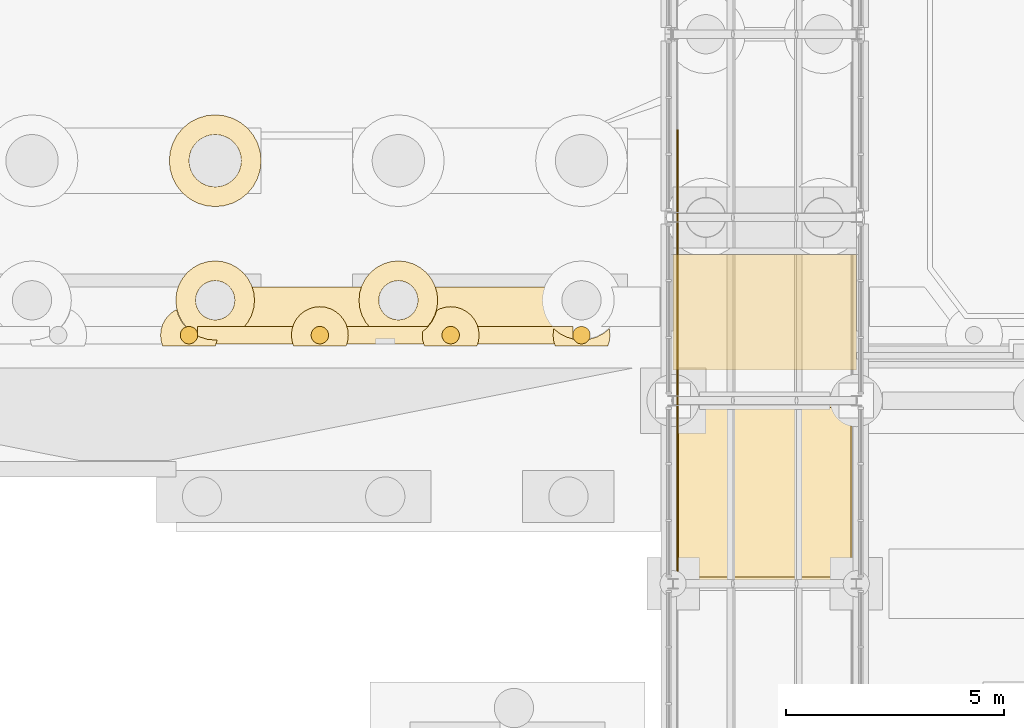
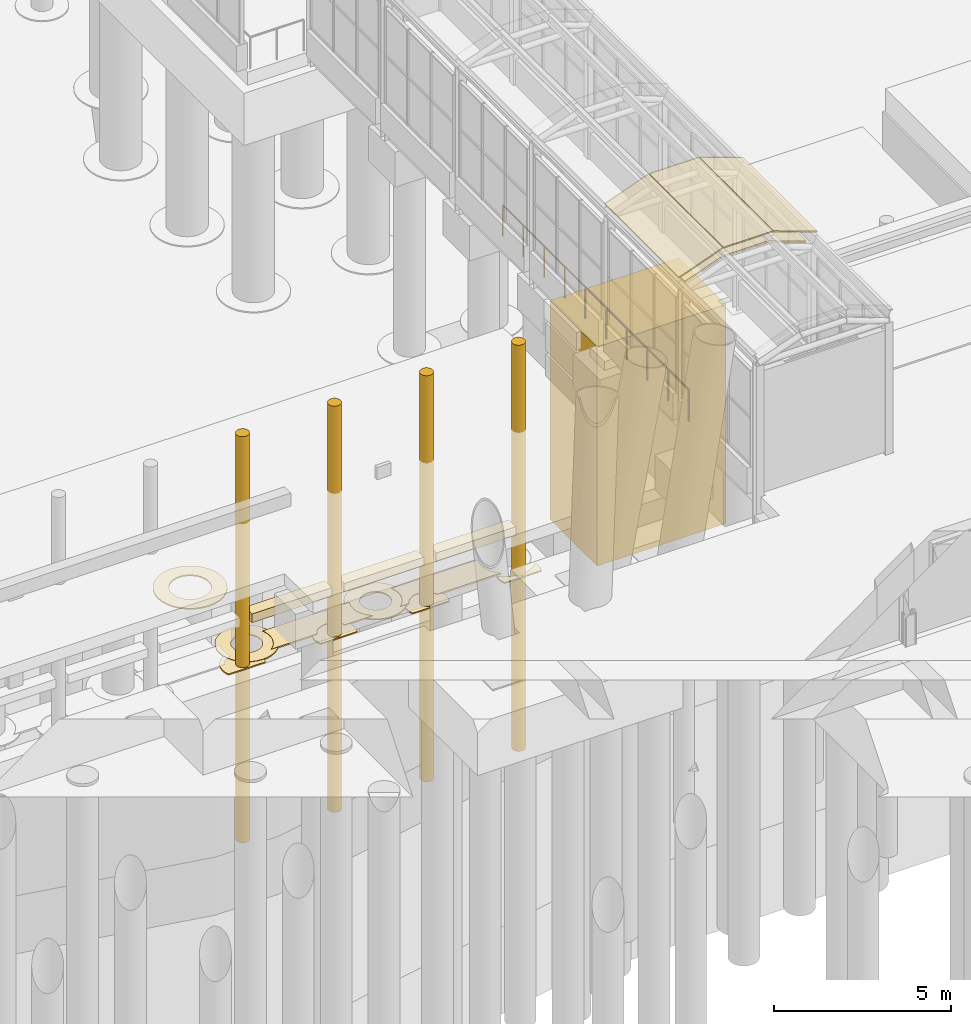
# One storey, part 186 of 222: 23 coverings, 1 railing.
"""IFC4 building model written with IfcOpenShell, lengths in metres."""

from ifc_helpers import new_model, si_unit, direction, frame, origin, origin_2d, place, context, subcontext, project, spatial, polyline, circle, outline, extrude, material, layer, layer_set, type_object, element, save


model = new_model("IFC4")

# Units and contexts
model_context = context("Model", 3, precision=1e-05, world=origin(), true_north=direction((0.0, 1.0)))
body_context = subcontext(model_context, "Body", "Model", "MODEL_VIEW")
ifc_project = project(units=[si_unit("LENGTHUNIT", "METRE"), si_unit("AREAUNIT", "SQUARE_METRE"), si_unit("VOLUMEUNIT", "CUBIC_METRE"), si_unit("PLANEANGLEUNIT", "RADIAN"), si_unit("MASSUNIT", "GRAM", prefix="KILO")], contexts=[model_context])

# Site, building, storey
site_placement = place(None, origin())
site = spatial("IfcSite", under=ifc_project, at=site_placement, CompositionType="ELEMENT")
building_placement = place(site_placement, origin())
building = spatial("IfcBuilding", under=site, at=building_placement, Name="Sava Quay Ferry Terminal", CompositionType="ELEMENT")
storey_placement = place(building_placement, origin())
storey = spatial("IfcBuildingStorey", under=building, at=storey_placement, Name="L00", CompositionType="ELEMENT", Elevation=0.0)

# Railing
ifc_material_1 = material(Name="Steel S355", Category="steel")
railing_type = type_object("IfcRailingType", Name="Edge guard 1100", PredefinedType="GUARDRAIL", material=ifc_material_1)
railing_placement = place(storey_placement, frame((75.699951171875, 113.300048828125, 0.0)))
element("IfcRailing", 1, at=railing_placement, inside=storey, type_object=railing_type, Name="Berth pier edge over the landing and the river", PredefinedType="GUARDRAIL", context=body_context, shape_type="SweptSolid", body=[
    extrude(circle(Radius=0.02392578125, at=origin_2d()), frame((0.0, 0.0, 1.076171875), z_axis=(0.0, 1.0, 0.0), x_axis=(-1.0, 0.0, 0.0)), (0.0, 0.0, 1.0), 10.5),
    extrude(circle(Radius=0.02099609375, at=origin_2d()), origin(), (0.0, 0.0, 1.0), 1.052001953125),
    extrude(circle(Radius=0.02099609375, at=origin_2d()), frame((0.0, 1.166748046875, 0.0)), (0.0, 0.0, 1.0), 1.052001953125),
    extrude(circle(Radius=0.02099609375, at=origin_2d()), frame((0.0, 2.333251953125, 0.0)), (0.0, 0.0, 1.0), 1.052001953125),
    extrude(circle(Radius=0.02099609375, at=origin_2d()), frame((0.0, 3.5, 0.0)), (0.0, 0.0, 1.0), 1.052001953125),
    extrude(circle(Radius=0.02099609375, at=origin_2d()), frame((0.0, 4.666748046875, 0.0)), (0.0, 0.0, 1.0), 1.052001953125),
    extrude(circle(Radius=0.02099609375, at=origin_2d()), frame((0.0, 5.833251953125, 0.0)), (0.0, 0.0, 1.0), 1.052001953125),
    extrude(circle(Radius=0.02099609375, at=origin_2d()), frame((0.0, 7.0, 0.0)), (0.0, 0.0, 1.0), 1.052001953125),
    extrude(circle(Radius=0.02099609375, at=origin_2d()), frame((0.0, 8.166748046875, 0.0)), (0.0, 0.0, 1.0), 1.052001953125),
    extrude(circle(Radius=0.02099609375, at=origin_2d()), frame((0.0, 9.333251953125, 0.0)), (0.0, 0.0, 1.0), 1.052001953125),
    extrude(circle(Radius=0.02099609375, at=origin_2d()), frame((0.0, 10.5, 0.0)), (0.0, 0.0, 1.0), 1.052001953125),
])

# Coverings
ifc_material_2 = material(Name="Limestone Mutalj", Category="masonry")
ifc_layer_1 = layer(ifc_material_2, 1.0)
ifc_layer_set_1 = layer_set([ifc_layer_1], Name="Limestone Mutalj")
covering_type_1 = type_object("IfcCoveringType", Name="Gallery landing abutment", PredefinedType="CLADDING", material=ifc_layer_set_1)
covering_1_placement = place(storey_placement, frame((0.0, 0.0, -8.0)))
element("IfcCovering", 2, at=covering_1_placement, inside=storey, type_object=covering_type_1, Name="Gallery landing abutment", PredefinedType="CLADDING", context=body_context, shape_type="SweptSolid", body=[
    extrude(outline(polyline([(75.60009765625, 118.300048828125), (79.800048828125, 118.300048828125), (79.800048828125, 120.949951171875), (75.60009765625, 120.949951171875), (75.60009765625, 118.300048828125)])), origin(), (0.0, 0.0, 1.0), 7.550048828125),
])
ifc_material_3 = material(Name="Glulam GL28h", Category="wood")
ifc_layer_2 = layer(ifc_material_3, 0.06005859375)
ifc_layer_set_2 = layer_set([ifc_layer_2], Name="Glulam GL28h")
covering_type_2 = type_object("IfcCoveringType", Name="Glulam soffit lining 60", PredefinedType="CEILING", material=ifc_layer_set_2)
covering_2_placement = place(storey_placement, frame((75.71728515625, 113.56005859375, 4.645751953125), z_axis=(-0.342028329159, 0.0, 0.939689641346), x_axis=(0.939689641346, 0.0, 0.342028329159)))
element("IfcCovering", 3, at=covering_2_placement, inside=storey, type_object=covering_type_2, Name="Boarding gallery B2 timber soffit lining bay 2 facet 1", PredefinedType="CEILING", context=body_context, shape_type="SweptSolid", body=[
    extrude(outline(polyline([(0.0, 0.0), (1.3055444975084805, 0.0), (1.3055444975084805, 3.8798828125), (0.0, 3.8798828125), (0.0, 0.0)])), origin(), (0.0, 0.0, -1.0), 0.06005859375),
])
covering_3_placement = place(storey_placement, frame((76.963623046875, 113.56005859375, 5.095703125), z_axis=(0.0, 0.0, 1.0), x_axis=(1.0, 0.0, 0.0)))
element("IfcCovering", 4, at=covering_3_placement, inside=storey, type_object=covering_type_2, Name="Boarding gallery B2 timber soffit lining bay 2 facet 2", PredefinedType="CEILING", context=body_context, shape_type="SweptSolid", body=[
    extrude(outline(polyline([(0.0, 0.0), (1.472900390625, 0.0), (1.472900390625, 3.8798828125), (0.0, 3.8798828125), (0.0, 0.0)])), origin(), (0.0, 0.0, -1.0), 0.06005859375),
])
covering_4_placement = place(storey_placement, frame((78.455810546875, 113.56005859375, 5.09228515625), z_axis=(0.341968236193, 0.0, 0.939711511814), x_axis=(0.939711511814, 0.0, -0.341968236193)))
element("IfcCovering", 5, at=covering_4_placement, inside=storey, type_object=covering_type_2, Name="Boarding gallery B2 timber soffit lining bay 2 facet 3", PredefinedType="CEILING", context=body_context, shape_type="SweptSolid", body=[
    extrude(outline(polyline([(0.0, 0.0), (1.305773916594794, 0.0), (1.305773916594794, 3.8798828125), (0.0, 3.8798828125), (0.0, 0.0)])), origin(), (0.0, 0.0, -1.0), 0.06005859375),
])
ifc_material_4 = material(Name="Timber", Category="wood")
ifc_layer_3 = layer(ifc_material_4, 0.39990234375)
ifc_layer_set_3 = layer_set([ifc_layer_3], Name="Timber")
covering_type_3 = type_object("IfcCoveringType", Name="Quay fender pile 400", PredefinedType="CLADDING", material=ifc_layer_set_3)
for number, where, z_axis, x_axis, name in (
    (6, (64.5, 119.10009765625, 0.0), (0.0, 0.0, -1.0), (1.0, 0.0, 0.0), "Quay fender pile"),
    (7, (67.5, 119.10009765625, 0.0), (0.0, 0.0, -1.0), (1.0, 0.0, 0.0), "Quay fender pile"),
    (8, (70.5, 119.10009765625, 0.0), (0.0, 0.0, -1.0), (1.0, 0.0, 0.0), "Quay fender pile"),
    (9, (73.5, 119.10009765625, 0.0), (0.0, 0.0, -1.0), (1.0, 0.0, 0.0), "Quay fender pile"),
):
    element("IfcCovering", number, at=place(storey_placement, frame(where, z_axis=z_axis, x_axis=x_axis)), inside=storey, type_object=covering_type_3, Name=name, PredefinedType="CLADDING", context=body_context, shape_type="SweptSolid", body=[
        extrude(circle(Radius=0.199951171875, at=origin_2d()), origin(), (0.0, 0.0, 1.0), 14.0),
    ])
ifc_material_5 = material(Name="Timber", Category="wood")
ifc_layer_4 = layer(ifc_material_5, 0.39990234375)
ifc_layer_set_4 = layer_set([ifc_layer_4], Name="Timber")
covering_type_4 = type_object("IfcCoveringType", Name="Quay fender waling", PredefinedType="MOLDING", material=ifc_layer_set_4)
covering_5_placement = place(storey_placement, frame((0.0, 0.0, -6.5)))
element("IfcCovering", 10, at=covering_5_placement, inside=storey, type_object=covering_type_4, Name="Quay fender waling", PredefinedType="MOLDING", context=body_context, shape_type="SweptSolid", body=[
    extrude(outline(polyline([(67.300048828125, 118.89990234375), (67.300048828125, 119.300048828125), (64.699951171875, 119.300048828125), (64.699951171875, 118.89990234375), (67.300048828125, 118.89990234375)])), origin(), (0.0, 0.0, 1.0), 0.300048828125),
])
covering_6_placement = place(storey_placement, frame((0.0, 0.0, -6.5)))
element("IfcCovering", 11, at=covering_6_placement, inside=storey, type_object=covering_type_4, Name="Quay fender waling", PredefinedType="MOLDING", context=body_context, shape_type="SweptSolid", body=[
    extrude(outline(polyline([(70.300048828125, 118.89990234375), (70.300048828125, 119.300048828125), (67.699951171875, 119.300048828125), (67.699951171875, 118.89990234375), (70.300048828125, 118.89990234375)])), origin(), (0.0, 0.0, 1.0), 0.300048828125),
])
covering_7_placement = place(storey_placement, frame((0.0, 0.0, -6.5)))
element("IfcCovering", 12, at=covering_7_placement, inside=storey, type_object=covering_type_4, Name="Quay fender waling", PredefinedType="MOLDING", context=body_context, shape_type="SweptSolid", body=[
    extrude(outline(polyline([(73.300048828125, 118.89990234375), (73.300048828125, 119.300048828125), (70.699951171875, 119.300048828125), (70.699951171875, 118.89990234375), (73.300048828125, 118.89990234375)])), origin(), (0.0, 0.0, 1.0), 0.300048828125),
])
ifc_material_6 = material(Name="Water")
ifc_layer_5 = layer(ifc_material_6, 0.0400390625)
ifc_layer_set_5 = layer_set([ifc_layer_5], Name="Water")
covering_type_5 = type_object("IfcCoveringType", Name="River foam collar", PredefinedType="CLADDING", material=ifc_layer_set_5)
covering_8_placement = place(storey_placement, frame((0.0, 0.0, -8.0)))
element("IfcCovering", 13, at=covering_8_placement, inside=storey, type_object=covering_type_5, Name="River foam collar", PredefinedType="CLADDING", context=body_context, shape_type="SweptSolid", body=[
    extrude(outline(polyline([(65.93408203125, 120.2451171875), (65.85009765625, 120.40087890625), (65.738037109375, 120.5380859375), (65.60107421875, 120.64990234375), (65.445068359375, 120.73388671875), (65.27587890625, 120.784912109375), (65.10009765625, 120.802001953125), (64.924072265625, 120.784912109375), (64.7548828125, 120.73388671875), (64.59912109375, 120.64990234375), (64.4619140625, 120.5380859375), (64.35009765625, 120.40087890625), (64.26611328125, 120.2451171875), (64.215087890625, 120.075927734375), (64.197998046875, 119.89990234375), (64.215087890625, 119.72412109375), (64.26611328125, 119.554931640625), (64.35009765625, 119.39892578125), (64.43896484375, 119.2900390625), (64.4609375, 119.2958984375), (64.5, 119.300048828125), (64.5390625, 119.2958984375), (64.576904296875, 119.284912109375), (64.611083984375, 119.26611328125), (64.64111328125, 119.240966796875), (64.666015625, 119.2109375), (64.68505859375, 119.177001953125), (64.696044921875, 119.138916015625), (64.699951171875, 119.095947265625), (64.7548828125, 119.06591796875), (64.924072265625, 119.014892578125), (65.10009765625, 118.998046875), (65.27587890625, 119.014892578125), (65.445068359375, 119.06591796875), (65.60107421875, 119.14990234375), (65.738037109375, 119.261962890625), (65.85009765625, 119.39892578125), (65.93408203125, 119.554931640625), (65.985107421875, 119.72412109375), (66.001953125, 119.89990234375), (65.985107421875, 120.075927734375), (65.93408203125, 120.2451171875)]), holes=[polyline([(65.10009765625, 120.35009765625), (65.18798828125, 120.341064453125), (65.27197265625, 120.31591796875), (65.35009765625, 120.27392578125), (65.41796875, 120.218017578125), (65.47412109375, 120.14990234375), (65.51611328125, 120.072021484375), (65.541015625, 119.988037109375), (65.550048828125, 119.89990234375), (65.541015625, 119.81201171875), (65.51611328125, 119.72802734375), (65.47412109375, 119.64990234375), (65.41796875, 119.58203125), (65.35009765625, 119.52587890625), (65.27197265625, 119.48388671875), (65.18798828125, 119.458984375), (65.10009765625, 119.449951171875), (65.011962890625, 119.458984375), (64.927978515625, 119.48388671875), (64.85009765625, 119.52587890625), (64.781982421875, 119.58203125), (64.72607421875, 119.64990234375), (64.68408203125, 119.72802734375), (64.658935546875, 119.81201171875), (64.64990234375, 119.89990234375), (64.658935546875, 119.988037109375), (64.68408203125, 120.072021484375), (64.72607421875, 120.14990234375), (64.781982421875, 120.218017578125), (64.85009765625, 120.27392578125), (64.927978515625, 120.31591796875), (65.011962890625, 120.341064453125), (65.10009765625, 120.35009765625)])]), origin(), (0.0, 0.0, 1.0), 0.0400390625),
])
covering_9_placement = place(storey_placement, frame((0.0, 0.0, -8.0)))
element("IfcCovering", 14, at=covering_9_placement, inside=storey, type_object=covering_type_5, Name="River foam collar", PredefinedType="CLADDING", context=body_context, shape_type="SweptSolid", body=[
    extrude(outline(polyline([(69.1240234375, 119.014892578125), (69.300048828125, 118.998046875), (69.47607421875, 119.014892578125), (69.64501953125, 119.06591796875), (69.801025390625, 119.14990234375), (69.93798828125, 119.261962890625), (70.050048828125, 119.39892578125), (70.134033203125, 119.554931640625), (70.18505859375, 119.72412109375), (70.201904296875, 119.89990234375), (70.18505859375, 120.075927734375), (70.134033203125, 120.2451171875), (70.050048828125, 120.40087890625), (69.93798828125, 120.5380859375), (69.801025390625, 120.64990234375), (69.64501953125, 120.73388671875), (69.47607421875, 120.784912109375), (69.300048828125, 120.802001953125), (69.1240234375, 120.784912109375), (68.955078125, 120.73388671875), (68.799072265625, 120.64990234375), (68.662109375, 120.5380859375), (68.550048828125, 120.40087890625), (68.466064453125, 120.2451171875), (68.4150390625, 120.075927734375), (68.39794921875, 119.89990234375), (68.4150390625, 119.72412109375), (68.466064453125, 119.554931640625), (68.550048828125, 119.39892578125), (68.662109375, 119.261962890625), (68.799072265625, 119.14990234375), (68.955078125, 119.06591796875), (69.1240234375, 119.014892578125)]), holes=[polyline([(69.2119140625, 120.341064453125), (69.300048828125, 120.35009765625), (69.387939453125, 120.341064453125), (69.471923828125, 120.31591796875), (69.550048828125, 120.27392578125), (69.617919921875, 120.218017578125), (69.674072265625, 120.14990234375), (69.716064453125, 120.072021484375), (69.740966796875, 119.988037109375), (69.75, 119.89990234375), (69.740966796875, 119.81201171875), (69.716064453125, 119.72802734375), (69.674072265625, 119.64990234375), (69.617919921875, 119.58203125), (69.550048828125, 119.52587890625), (69.471923828125, 119.48388671875), (69.387939453125, 119.458984375), (69.300048828125, 119.449951171875), (69.2119140625, 119.458984375), (69.1279296875, 119.48388671875), (69.050048828125, 119.52587890625), (68.98193359375, 119.58203125), (68.926025390625, 119.64990234375), (68.884033203125, 119.72802734375), (68.85888671875, 119.81201171875), (68.85009765625, 119.89990234375), (68.85888671875, 119.988037109375), (68.884033203125, 120.072021484375), (68.926025390625, 120.14990234375), (68.98193359375, 120.218017578125), (69.050048828125, 120.27392578125), (69.1279296875, 120.31591796875), (69.2119140625, 120.341064453125)])]), origin(), (0.0, 0.0, 1.0), 0.0400390625),
])
covering_10_placement = place(storey_placement, frame((0.0, 0.0, -8.0)))
element("IfcCovering", 15, at=covering_10_placement, inside=storey, type_object=covering_type_5, Name="River foam collar", PredefinedType="CLADDING", context=body_context, shape_type="SweptSolid", body=[
    extrude(outline(polyline([(64.1279296875, 122.697021484375), (64.22509765625, 122.514892578125), (64.35595703125, 122.35595703125), (64.514892578125, 122.22509765625), (64.697021484375, 122.1279296875), (64.89501953125, 122.068115234375), (65.10009765625, 122.048095703125), (65.304931640625, 122.068115234375), (65.5029296875, 122.1279296875), (65.68505859375, 122.22509765625), (65.843994140625, 122.35595703125), (65.97509765625, 122.514892578125), (66.072021484375, 122.697021484375), (66.132080078125, 122.89501953125), (66.152099609375, 123.10009765625), (66.132080078125, 123.304931640625), (66.072021484375, 123.5029296875), (65.97509765625, 123.68505859375), (65.843994140625, 123.843994140625), (65.68505859375, 123.97509765625), (65.5029296875, 124.072021484375), (65.304931640625, 124.132080078125), (65.10009765625, 124.152099609375), (64.89501953125, 124.132080078125), (64.697021484375, 124.072021484375), (64.514892578125, 123.97509765625), (64.35595703125, 123.843994140625), (64.22509765625, 123.68505859375), (64.1279296875, 123.5029296875), (64.068115234375, 123.304931640625), (64.048095703125, 123.10009765625), (64.068115234375, 122.89501953125), (64.1279296875, 122.697021484375)]), holes=[polyline([(64.5458984375, 123.330078125), (64.60107421875, 123.43310546875), (64.676025390625, 123.52392578125), (64.76708984375, 123.59912109375), (64.8701171875, 123.654052734375), (64.98291015625, 123.68798828125), (65.10009765625, 123.699951171875), (65.217041015625, 123.68798828125), (65.330078125, 123.654052734375), (65.43310546875, 123.59912109375), (65.52392578125, 123.52392578125), (65.59912109375, 123.43310546875), (65.654052734375, 123.330078125), (65.68798828125, 123.217041015625), (65.699951171875, 123.10009765625), (65.68798828125, 122.98291015625), (65.654052734375, 122.8701171875), (65.59912109375, 122.76708984375), (65.52392578125, 122.676025390625), (65.43310546875, 122.60107421875), (65.330078125, 122.5458984375), (65.217041015625, 122.511962890625), (65.10009765625, 122.5), (64.98291015625, 122.511962890625), (64.8701171875, 122.5458984375), (64.76708984375, 122.60107421875), (64.676025390625, 122.676025390625), (64.60107421875, 122.76708984375), (64.5458984375, 122.8701171875), (64.511962890625, 122.98291015625), (64.5, 123.10009765625), (64.511962890625, 123.217041015625), (64.5458984375, 123.330078125)])]), origin(), (0.0, 0.0, 1.0), 0.0400390625),
])
covering_11_placement = place(storey_placement, frame((0.0, 0.0, -8.0)))
element("IfcCovering", 16, at=covering_11_placement, inside=storey, type_object=covering_type_5, Name="River foam collar", PredefinedType="CLADDING", context=body_context, shape_type="SweptSolid", body=[
    extrude(outline(polyline([(64.428955078125, 119.285888671875), (64.342041015625, 119.39306640625), (64.258056640625, 119.550048828125), (64.217041015625, 119.68505859375), (64.137939453125, 119.64208984375), (64.0390625, 119.56103515625), (63.9580078125, 119.4619140625), (63.89697265625, 119.35009765625), (63.860107421875, 119.22705078125), (63.847900390625, 119.10009765625), (63.860107421875, 118.972900390625), (63.89794921875, 118.85009765625), (65.10205078125, 118.85009765625), (65.139892578125, 118.972900390625), (65.14208984375, 118.991943359375), (65.09912109375, 118.988037109375), (64.922119140625, 119.0048828125), (64.751953125, 119.056884765625), (64.698974609375, 119.0849609375), (64.696044921875, 119.06103515625), (64.68505859375, 119.02294921875), (64.666015625, 118.989013671875), (64.64111328125, 118.958984375), (64.611083984375, 118.93408203125), (64.576904296875, 118.9150390625), (64.5390625, 118.904052734375), (64.5, 118.89990234375), (64.4609375, 118.904052734375), (64.423095703125, 118.9150390625), (64.388916015625, 118.93408203125), (64.35888671875, 118.958984375), (64.333984375, 118.989013671875), (64.31494140625, 119.02294921875), (64.303955078125, 119.06103515625), (64.300048828125, 119.10009765625), (64.303955078125, 119.138916015625), (64.31494140625, 119.177001953125), (64.333984375, 119.2109375), (64.35888671875, 119.240966796875), (64.388916015625, 119.26611328125), (64.428955078125, 119.285888671875)])), origin(), (0.0, 0.0, 1.0), 0.0400390625),
])
covering_12_placement = place(storey_placement, frame((0.0, 0.0, -8.0)))
element("IfcCovering", 17, at=covering_12_placement, inside=storey, type_object=covering_type_5, Name="River foam collar", PredefinedType="CLADDING", context=body_context, shape_type="SweptSolid", body=[
    extrude(outline(polyline([(68.152099609375, 119.10009765625), (68.139892578125, 119.22705078125), (68.10302734375, 119.35009765625), (68.0419921875, 119.4619140625), (67.9609375, 119.56103515625), (67.862060546875, 119.64208984375), (67.75, 119.702880859375), (67.626953125, 119.739990234375), (67.5, 119.751953125), (67.373046875, 119.739990234375), (67.25, 119.702880859375), (67.137939453125, 119.64208984375), (67.0390625, 119.56103515625), (66.9580078125, 119.4619140625), (66.89697265625, 119.35009765625), (66.860107421875, 119.22705078125), (66.847900390625, 119.10009765625), (66.860107421875, 118.972900390625), (66.89794921875, 118.85009765625), (68.10205078125, 118.85009765625), (68.139892578125, 118.972900390625), (68.152099609375, 119.10009765625)]), holes=[polyline([(67.333984375, 118.989013671875), (67.31494140625, 119.02294921875), (67.303955078125, 119.06103515625), (67.300048828125, 119.10009765625), (67.303955078125, 119.138916015625), (67.31494140625, 119.177001953125), (67.333984375, 119.2109375), (67.35888671875, 119.240966796875), (67.388916015625, 119.26611328125), (67.423095703125, 119.284912109375), (67.4609375, 119.2958984375), (67.5, 119.300048828125), (67.5390625, 119.2958984375), (67.576904296875, 119.284912109375), (67.611083984375, 119.26611328125), (67.64111328125, 119.240966796875), (67.666015625, 119.2109375), (67.68505859375, 119.177001953125), (67.696044921875, 119.138916015625), (67.699951171875, 119.10009765625), (67.696044921875, 119.06103515625), (67.68505859375, 119.02294921875), (67.666015625, 118.989013671875), (67.64111328125, 118.958984375), (67.611083984375, 118.93408203125), (67.576904296875, 118.9150390625), (67.5390625, 118.904052734375), (67.5, 118.89990234375), (67.4609375, 118.904052734375), (67.423095703125, 118.9150390625), (67.388916015625, 118.93408203125), (67.35888671875, 118.958984375), (67.333984375, 118.989013671875)])]), origin(), (0.0, 0.0, 1.0), 0.0400390625),
])
covering_13_placement = place(storey_placement, frame((0.0, 0.0, -8.0)))
element("IfcCovering", 18, at=covering_13_placement, inside=storey, type_object=covering_type_5, Name="River foam collar", PredefinedType="CLADDING", context=body_context, shape_type="SweptSolid", body=[
    extrude(outline(polyline([(70.05810546875, 119.39208984375), (69.945068359375, 119.2548828125), (69.85595703125, 119.181884765625), (69.847900390625, 119.10009765625), (69.860107421875, 118.972900390625), (69.89794921875, 118.85009765625), (71.10302734375, 118.85009765625), (71.139892578125, 118.972900390625), (71.152099609375, 119.10009765625), (71.139892578125, 119.22705078125), (71.10302734375, 119.35009765625), (71.0419921875, 119.4619140625), (70.9609375, 119.56103515625), (70.862060546875, 119.64208984375), (70.75, 119.702880859375), (70.626953125, 119.739990234375), (70.5, 119.751953125), (70.373046875, 119.739990234375), (70.25, 119.702880859375), (70.177001953125, 119.6630859375), (70.14306640625, 119.551025390625), (70.05810546875, 119.39208984375)]), holes=[polyline([(70.35888671875, 118.958984375), (70.333984375, 118.989013671875), (70.31494140625, 119.02294921875), (70.303955078125, 119.06103515625), (70.300048828125, 119.10009765625), (70.303955078125, 119.138916015625), (70.31494140625, 119.177001953125), (70.333984375, 119.2109375), (70.35888671875, 119.240966796875), (70.388916015625, 119.26611328125), (70.423095703125, 119.284912109375), (70.4609375, 119.2958984375), (70.5, 119.300048828125), (70.5390625, 119.2958984375), (70.576904296875, 119.284912109375), (70.611083984375, 119.26611328125), (70.64111328125, 119.240966796875), (70.666015625, 119.2109375), (70.68505859375, 119.177001953125), (70.696044921875, 119.138916015625), (70.699951171875, 119.10009765625), (70.696044921875, 119.06103515625), (70.68505859375, 119.02294921875), (70.666015625, 118.989013671875), (70.64111328125, 118.958984375), (70.611083984375, 118.93408203125), (70.576904296875, 118.9150390625), (70.5390625, 118.904052734375), (70.5, 118.89990234375), (70.4609375, 118.904052734375), (70.423095703125, 118.9150390625), (70.388916015625, 118.93408203125), (70.35888671875, 118.958984375)])]), origin(), (0.0, 0.0, 1.0), 0.0400390625),
])
covering_14_placement = place(storey_placement, frame((0.0, 0.0, -8.0)))
element("IfcCovering", 19, at=covering_14_placement, inside=storey, type_object=covering_type_5, Name="River foam collar", PredefinedType="CLADDING", context=body_context, shape_type="SweptSolid", body=[
    extrude(outline(polyline([(73.320068359375, 119.007080078125), (73.14990234375, 119.05810546875), (72.992919921875, 119.14208984375), (72.865966796875, 119.24609375), (72.860107421875, 119.22705078125), (72.847900390625, 119.10009765625), (72.860107421875, 118.972900390625), (72.89794921875, 118.85009765625), (74.10205078125, 118.85009765625), (74.139892578125, 118.972900390625), (74.152099609375, 119.10009765625), (74.139892578125, 119.22705078125), (74.134033203125, 119.24609375), (74.007080078125, 119.14208984375), (73.85009765625, 119.05810546875), (73.68408203125, 119.007080078125), (73.676025390625, 119.008056640625), (73.666015625, 118.989013671875), (73.64111328125, 118.958984375), (73.611083984375, 118.93408203125), (73.576904296875, 118.9150390625), (73.5390625, 118.904052734375), (73.5, 118.89990234375), (73.4609375, 118.904052734375), (73.423095703125, 118.9150390625), (73.388916015625, 118.93408203125), (73.35888671875, 118.958984375), (73.333984375, 118.989013671875), (73.323974609375, 119.008056640625), (73.320068359375, 119.007080078125)])), origin(), (0.0, 0.0, 1.0), 0.0400390625),
])
ifc_material_7 = material(Name="Water")
ifc_layer_6 = layer(ifc_material_7, 0.050048828125)
ifc_layer_set_6 = layer_set([ifc_layer_6], Name="Water")
covering_type_6 = type_object("IfcCoveringType", Name="River foam line", PredefinedType="CLADDING", material=ifc_layer_set_6)
covering_15_placement = place(storey_placement, frame((0.0, 0.0, -8.0)))
element("IfcCovering", 20, at=covering_15_placement, inside=storey, type_object=covering_type_6, Name="River foam line", PredefinedType="CLADDING", context=body_context, shape_type="SweptSolid", body=[
    extrude(outline(polyline([(72.81298828125, 120.199951171875), (69.987060546875, 120.199951171875), (70.0029296875, 120.158935546875), (70.028076171875, 120.074951171875), (70.035888671875, 120.0458984375), (70.0400390625, 120.01708984375), (70.049072265625, 119.928955078125), (70.050048828125, 119.89990234375), (70.049072265625, 119.87109375), (70.0400390625, 119.782958984375), (70.035888671875, 119.75390625), (70.028076171875, 119.72509765625), (70.0029296875, 119.64111328125), (69.992919921875, 119.613037109375), (69.97998046875, 119.5859375), (69.93896484375, 119.509033203125), (69.924072265625, 119.48291015625), (69.906005859375, 119.4599609375), (69.85009765625, 119.39111328125), (69.830078125, 119.3701171875), (69.80908203125, 119.35009765625), (69.748046875, 119.300048828125), (70.0419921875, 119.300048828125), (70.069091796875, 119.35302734375), (70.083984375, 119.3779296875), (70.126953125, 119.431884765625), (70.14599609375, 119.4541015625), (70.16796875, 119.472900390625), (70.221923828125, 119.51611328125), (70.2470703125, 119.531005859375), (70.30908203125, 119.56201171875), (70.3740234375, 119.5830078125), (70.402099609375, 119.590087890625), (70.431884765625, 119.594970703125), (70.5, 119.60009765625), (70.568115234375, 119.594970703125), (70.597900390625, 119.590087890625), (70.6259765625, 119.5830078125), (70.69091796875, 119.56201171875), (70.7529296875, 119.531005859375), (70.778076171875, 119.51611328125), (70.83203125, 119.472900390625), (70.85400390625, 119.4541015625), (70.873046875, 119.431884765625), (70.916015625, 119.3779296875), (70.930908203125, 119.35302734375), (70.9580078125, 119.300048828125), (73.0419921875, 119.300048828125), (73.044921875, 119.305908203125), (72.990966796875, 119.35009765625), (72.969970703125, 119.3701171875), (72.949951171875, 119.39111328125), (72.89404296875, 119.4599609375), (72.8759765625, 119.48291015625), (72.861083984375, 119.509033203125), (72.820068359375, 119.5859375), (72.806884765625, 119.613037109375), (72.797119140625, 119.64111328125), (72.77197265625, 119.72509765625), (72.763916015625, 119.75390625), (72.760009765625, 119.782958984375), (72.7509765625, 119.87109375), (72.75, 119.89990234375), (72.7509765625, 119.928955078125), (72.760009765625, 120.01708984375), (72.763916015625, 120.0458984375), (72.77197265625, 120.074951171875), (72.797119140625, 120.158935546875), (72.81298828125, 120.199951171875)])), origin(), (0.0, 0.0, 1.0), 0.050048828125),
])
covering_16_placement = place(storey_placement, frame((0.0, 0.0, -8.0)))
element("IfcCovering", 21, at=covering_16_placement, inside=storey, type_object=covering_type_6, Name="River foam line", PredefinedType="CLADDING", context=body_context, shape_type="SweptSolid", body=[
    extrude(outline(polyline([(68.613037109375, 120.199951171875), (65.787109375, 120.199951171875), (65.802978515625, 120.158935546875), (65.827880859375, 120.074951171875), (65.8359375, 120.0458984375), (65.840087890625, 120.01708984375), (65.84912109375, 119.928955078125), (65.85009765625, 119.89990234375), (65.84912109375, 119.87109375), (65.840087890625, 119.782958984375), (65.8359375, 119.75390625), (65.827880859375, 119.72509765625), (65.802978515625, 119.64111328125), (65.79296875, 119.613037109375), (65.780029296875, 119.5859375), (65.739013671875, 119.509033203125), (65.72412109375, 119.48291015625), (65.7060546875, 119.4599609375), (65.64990234375, 119.39111328125), (65.6298828125, 119.3701171875), (65.60888671875, 119.35009765625), (65.548095703125, 119.300048828125), (67.0419921875, 119.300048828125), (67.069091796875, 119.35302734375), (67.083984375, 119.3779296875), (67.126953125, 119.431884765625), (67.14599609375, 119.4541015625), (67.16796875, 119.472900390625), (67.221923828125, 119.51611328125), (67.2470703125, 119.531005859375), (67.30908203125, 119.56201171875), (67.3740234375, 119.5830078125), (67.402099609375, 119.590087890625), (67.431884765625, 119.594970703125), (67.5, 119.60009765625), (67.568115234375, 119.594970703125), (67.597900390625, 119.590087890625), (67.6259765625, 119.5830078125), (67.69091796875, 119.56201171875), (67.7529296875, 119.531005859375), (67.778076171875, 119.51611328125), (67.83203125, 119.472900390625), (67.85400390625, 119.4541015625), (67.873046875, 119.431884765625), (67.916015625, 119.3779296875), (67.930908203125, 119.35302734375), (67.9580078125, 119.300048828125), (68.85205078125, 119.300048828125), (68.791015625, 119.35009765625), (68.77001953125, 119.3701171875), (68.75, 119.39111328125), (68.694091796875, 119.4599609375), (68.676025390625, 119.48291015625), (68.660888671875, 119.509033203125), (68.6201171875, 119.5859375), (68.60693359375, 119.613037109375), (68.596923828125, 119.64111328125), (68.572021484375, 119.72509765625), (68.56396484375, 119.75390625), (68.56005859375, 119.782958984375), (68.551025390625, 119.87109375), (68.550048828125, 119.89990234375), (68.551025390625, 119.928955078125), (68.56005859375, 120.01708984375), (68.56396484375, 120.0458984375), (68.572021484375, 120.074951171875), (68.596923828125, 120.158935546875), (68.613037109375, 120.199951171875)])), origin(), (0.0, 0.0, 1.0), 0.050048828125),
])
ifc_material_8 = material(Name="Zinc standing seam sheet")
ifc_layer_7 = layer(ifc_material_8, 0.0400390625)
ifc_layer_set_7 = layer_set([ifc_layer_7], Name="Zinc standing seam sheet")
covering_type_7 = type_object("IfcCoveringType", Name="Standing seam roofing 40", PredefinedType="ROOFING", material=ifc_layer_set_7)
covering_17_placement = place(storey_placement, frame((75.43603515625, 113.409912109375, 4.979736328125), z_axis=(-0.342089424704, 0.0, 0.939667401534), x_axis=(0.939667401534, 0.0, 0.342089424704)))
element("IfcCovering", 22, at=covering_17_placement, inside=storey, type_object=covering_type_7, Name="Boarding gallery B2 roofing bay 2 facet 1", PredefinedType="ROOFING", context=body_context, shape_type="SweptSolid", body=[
    extrude(outline(polyline([(0.0, 0.0), (1.5279778922638676, 0.0), (1.5279778922638676, 4.18017578125), (0.0, 4.18017578125), (0.0, 0.0)])), origin(), (0.0, 0.0, -1.0), 0.0400390625),
])
covering_18_placement = place(storey_placement, frame((76.891357421875, 113.409912109375, 5.505859375), z_axis=(0.0, 0.0, 1.0), x_axis=(1.0, 0.0, 0.0)))
element("IfcCovering", 23, at=covering_18_placement, inside=storey, type_object=covering_type_7, Name="Boarding gallery B2 roofing bay 2 facet 2", PredefinedType="ROOFING", context=body_context, shape_type="SweptSolid", body=[
    extrude(outline(polyline([(0.0, 0.0), (1.617431640625, 0.0), (1.617431640625, 4.18017578125), (0.0, 4.18017578125), (0.0, 0.0)])), origin(), (0.0, 0.0, -1.0), 0.0400390625),
])
covering_19_placement = place(storey_placement, frame((78.528076171875, 113.409912109375, 5.50244140625), z_axis=(0.342089424704, 0.0, 0.939667401534), x_axis=(0.939667401534, 0.0, -0.342089424704)))
element("IfcCovering", 24, at=covering_19_placement, inside=storey, type_object=covering_type_7, Name="Boarding gallery B2 roofing bay 2 facet 3", PredefinedType="ROOFING", context=body_context, shape_type="SweptSolid", body=[
    extrude(outline(polyline([(0.0, 0.0), (1.5279778922638676, 0.0), (1.5279778922638676, 4.18017578125), (0.0, 4.18017578125), (0.0, 0.0)])), origin(), (0.0, 0.0, -1.0), 0.0400390625),
])

save(model, "model.ifc")
